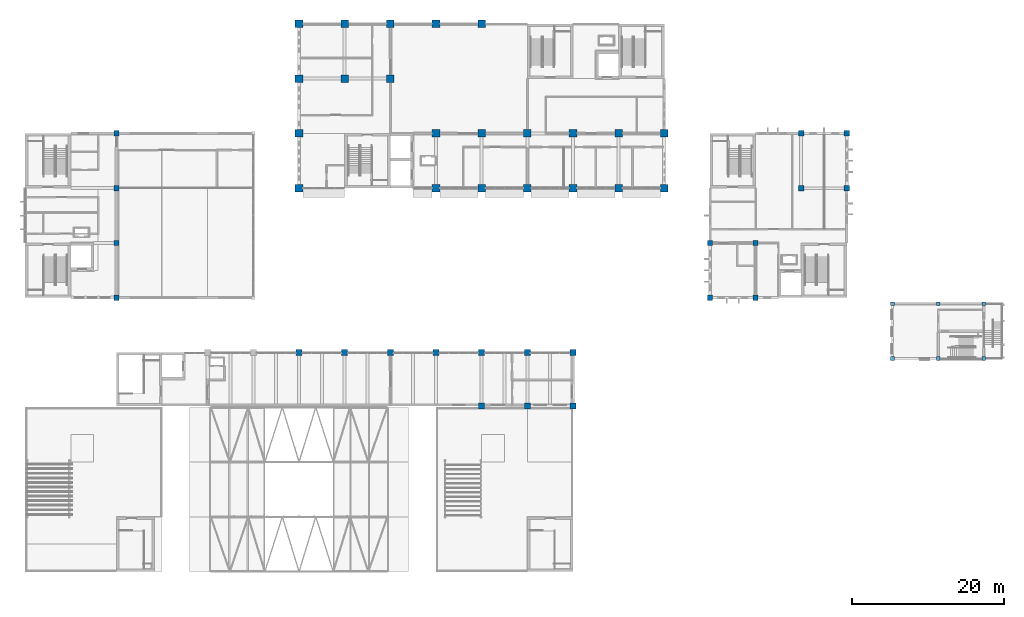
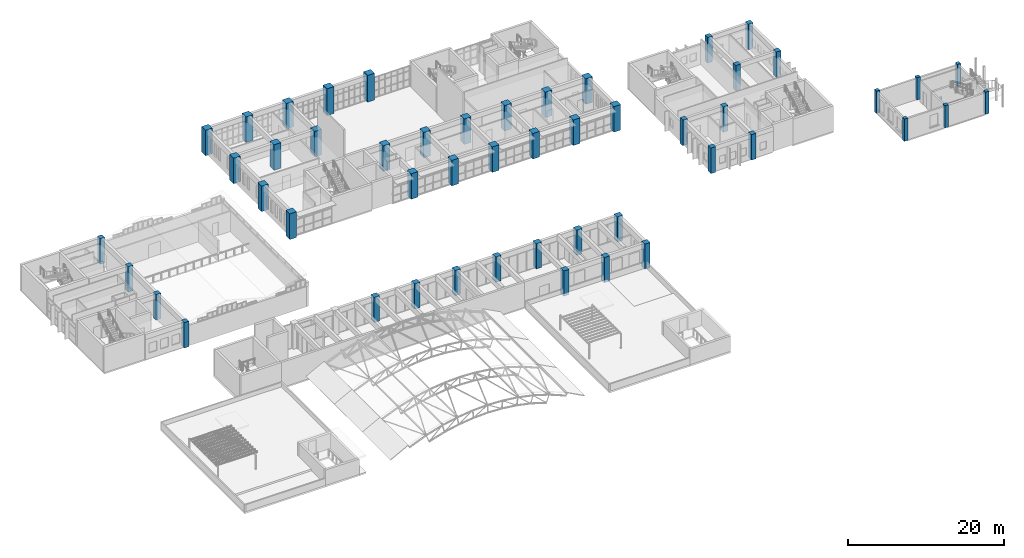
# One storey, part 4 of 92: 50 columns.
"""IFC4 building model written with IfcOpenShell, lengths in metres."""

import ifcopenshell
import ifcopenshell.guid

model = None  # the IFC model being written
_history = None  # IfcOwnerHistory: only IFC2X3 demands one
_inside = {}  # id of a spatial element -> (the spatial element, [elements in it])
_under = {}  # id of a project, library or spatial element -> (it, [spatial elements below it])
_declared = {}  # id of a project -> (the project, [libraries it declares])
_typed = {}  # id of a type object -> (the type object, [elements of that type])
_made_of = {}  # id of a material, layer set ... -> (it, [elements and type objects made of it])


def new_model(schema):
    """Start an empty IFC model of exactly this schema.

    Asked for "IFC4X3", IfcOpenShell would pick the latest addendum, in which some entities
    have other attributes; the version numbers below select the first issue.
    IFC2X3 requires an IfcOwnerHistory on every rooted entity: one is made here for all.
    """
    global model, _history
    if schema == "IFC4X3":
        model = ifcopenshell.file(schema_version=(4, 3, 0, 0))
    else:
        model = ifcopenshell.file(schema=schema)
    _inside.clear()
    _under.clear()
    _declared.clear()
    _typed.clear()
    _made_of.clear()
    _history = None
    if model.schema == "IFC2X3":
        org = make("IfcOrganization", Name="unknown")
        user = make(
            "IfcPersonAndOrganization",
            ThePerson=make("IfcPerson", FamilyName="unknown"),
            TheOrganization=org,
        )
        app = make(
            "IfcApplication",
            ApplicationDeveloper=org,
            Version="unknown",
            ApplicationFullName="unknown",
            ApplicationIdentifier="unknown",
        )
        _history = make(
            "IfcOwnerHistory",
            OwningUser=user,
            OwningApplication=app,
            ChangeAction="ADDED",
            CreationDate=0,
        )
    return model


def make(cls, **values):
    """One entity of the class cls with the attributes given. An attribute that is None is left unset."""
    return model.create_entity(
        cls, **{name: value for name, value in values.items() if value is not None}
    )


def rooted(cls, **values):
    """An entity with a GlobalId (a new one), such as an element, a storey or a relation."""
    return make(cls, GlobalId=ifcopenshell.guid.new(), OwnerHistory=_history, **values)


def si_unit(unit_type, name, prefix=None):
    """IfcSIUnit, for example si_unit("LENGTHUNIT", "METRE", prefix="MILLI")."""
    return make("IfcSIUnit", UnitType=unit_type, Prefix=prefix, Name=name)


def assignment(units):
    """IfcUnitAssignment: the units of a project."""
    return None if units is None else make("IfcUnitAssignment", Units=units)


def point(xyz):
    """IfcCartesianPoint."""
    return None if xyz is None else make("IfcCartesianPoint", Coordinates=xyz)


def direction(xyz):
    """IfcDirection."""
    return None if xyz is None else make("IfcDirection", DirectionRatios=xyz)


def frame(location, z_axis=None, x_axis=None):
    """IfcAxis2Placement3D, a coordinate frame: its origin and axes. An axis left out is left unset."""
    return make(
        "IfcAxis2Placement3D",
        Location=point(location),
        Axis=direction(z_axis),
        RefDirection=direction(x_axis),
    )


def frame_2d(location, x_axis=None):
    """IfcAxis2Placement2D, a coordinate frame in the plane: its origin and x axis."""
    return make(
        "IfcAxis2Placement2D", Location=point(location), RefDirection=direction(x_axis)
    )


def origin():
    """The frame at (0, 0, 0) with its axes left unset."""
    return frame((0.0, 0.0, 0.0))


def origin_2d():
    """The frame at (0, 0) in the plane with its x axis left unset."""
    return frame_2d((0.0, 0.0))


def place(relative_to, where):
    """IfcLocalPlacement: puts the frame where relative to a parent placement (None: the world)."""
    return make(
        "IfcLocalPlacement", PlacementRelTo=relative_to, RelativePlacement=where
    )


def context(
    kind, dimensions, precision=None, world=None, true_north=None, identifier=None
):
    """IfcGeometricRepresentationContext, for example the 3D "Model" context."""
    return make(
        "IfcGeometricRepresentationContext",
        ContextIdentifier=identifier,
        ContextType=kind,
        CoordinateSpaceDimension=dimensions,
        Precision=precision,
        WorldCoordinateSystem=world,
        TrueNorth=true_north,
    )


def subcontext(parent, identifier, kind, view, scale=None):
    """IfcGeometricRepresentationSubContext, for example "Body" below "Model"."""
    return make(
        "IfcGeometricRepresentationSubContext",
        ContextIdentifier=identifier,
        ContextType=kind,
        ParentContext=parent,
        TargetScale=scale,
        TargetView=view,
    )


def project(units=None, contexts=None):
    """IfcProject with its units and contexts."""
    return rooted(
        "IfcProject",
        Name="project",
        RepresentationContexts=contexts,
        UnitsInContext=assignment(units),
    )


def spatial(cls, under=None, at=None, **own):
    """A site, building, storey or space (cls), placed at a placement, below another one or the project."""
    s = rooted(cls, ObjectPlacement=at, **own)
    if under is not None:
        _under.setdefault(under.id(), (under, []))[1].append(s)
    return s


def profile(cls, at=None, kind="AREA", **sizes):
    """A parametric profile (cls). Its sizes go by their IFC names, for example OverallWidth=200.0."""
    return make(cls, ProfileType=kind, Position=at, **sizes)


def rectangle(**sizes):
    """IfcRectangleProfileDef."""
    return profile("IfcRectangleProfileDef", **sizes)


def extrude(swept, where, along, depth):
    """IfcExtrudedAreaSolid: the profile swept, set in the frame where, extruded along a direction by depth."""
    return make(
        "IfcExtrudedAreaSolid",
        SweptArea=swept,
        Position=where,
        ExtrudedDirection=direction(along),
        Depth=depth,
    )


def shape(context_of_items, identifier, shape_type, items):
    """IfcShapeRepresentation: the items that make up one representation, for example the "Body"."""
    return make(
        "IfcShapeRepresentation",
        ContextOfItems=context_of_items,
        RepresentationIdentifier=identifier,
        RepresentationType=shape_type,
        Items=items,
    )


def material(Name=None, Category=None):
    """IfcMaterial."""
    return make("IfcMaterial", Name=Name, Category=Category)


def material_profile(
    of_material, cross_section, Name=None, Category=None, Priority=None
):
    """IfcMaterialProfile: a cross section and its material."""
    return make(
        "IfcMaterialProfile",
        Name=Name,
        Material=of_material,
        Profile=cross_section,
        Priority=Priority,
        Category=Category,
    )


def profile_set(profiles, Name=None, composite=None):
    """IfcMaterialProfileSet."""
    return make(
        "IfcMaterialProfileSet",
        Name=Name,
        MaterialProfiles=profiles,
        CompositeProfile=composite,
    )


def made_of(thing, what):
    """Note that an element or type object is made of a material, layer set ...; save() writes the relation."""
    if what is not None:
        _made_of.setdefault(what.id(), (what, []))[1].append(thing)
    return thing


def type_object(cls, material=None, **own):
    """A type object (cls), such as IfcWallType, which elements share."""
    return made_of(rooted(cls, **own), material)


def element(
    cls,
    number,
    at=None,
    inside=None,
    cuts=None,
    type_object=None,
    material=None,
    context=None,
    identifier="Body",
    shape_type=None,
    held_by="IfcProductDefinitionShape",
    body=None,
    shapes=None,
    **own,
):
    """One element of the class cls, such as IfcWall. Its Tag is "e" and its number.

    at: its placement. inside: the storey or other place that contains it. cuts: it is an
    opening in that element (IfcRelVoidsElement). A single representation is given by context,
    identifier, shape_type and body (its items); several are given by shapes. held_by: the class
    of the entity that holds the representations. save() writes the other relations.
    """
    e = rooted(cls, Tag="e%d" % number, ObjectPlacement=at, **own)
    if body is not None:
        shapes = [shape(context, identifier, shape_type, body)]
    if shapes is not None:
        e.Representation = make(held_by, Representations=shapes)
    if inside is not None:
        _inside.setdefault(inside.id(), (inside, []))[1].append(e)
    if cuts is not None:
        rooted(
            "IfcRelVoidsElement", RelatingBuildingElement=cuts, RelatedOpeningElement=e
        )
    if type_object is not None:
        _typed.setdefault(type_object.id(), (type_object, []))[1].append(e)
    return made_of(e, material)


def aggregate(whole, parts):
    """IfcRelAggregates: a whole, such as a stair, and the parts it consists of."""
    return rooted("IfcRelAggregates", RelatingObject=whole, RelatedObjects=parts)


def save(model, path):
    """Write the relations noted so far, then the file.

    IfcRelAggregates (storeys below a building ...), IfcRelContainedInSpatialStructure (elements
    in a storey), IfcRelDefinesByType, IfcRelAssociatesMaterial and IfcRelDeclares: one each for
    every whole, place, type object, material and project.
    """
    for whole, parts in _under.values():
        aggregate(whole, parts)
    for where, things in _inside.values():
        rooted(
            "IfcRelContainedInSpatialStructure",
            RelatedElements=things,
            RelatingStructure=where,
        )
    for kind, things in _typed.values():
        rooted("IfcRelDefinesByType", RelatedObjects=things, RelatingType=kind)
    for what, things in _made_of.values():
        rooted("IfcRelAssociatesMaterial", RelatedObjects=things, RelatingMaterial=what)
    for by, libraries in _declared.values():
        rooted("IfcRelDeclares", RelatingContext=by, RelatedDefinitions=libraries)
    model.write(path)


model = new_model("IFC4")

# Units and contexts
model_context = context("Model", 3, precision=1e-05, world=origin(), true_north=direction((0.0, 1.0)))
body_context = subcontext(model_context, "Body", "Model", "MODEL_VIEW")
ifc_project = project(units=[si_unit("LENGTHUNIT", "METRE"), si_unit("AREAUNIT", "SQUARE_METRE"), si_unit("VOLUMEUNIT", "CUBIC_METRE"), si_unit("PLANEANGLEUNIT", "RADIAN"), si_unit("MASSUNIT", "GRAM", prefix="KILO")], contexts=[model_context])

# Site, building, storey
site_placement = place(None, origin())
site = spatial("IfcSite", under=ifc_project, at=site_placement, CompositionType="ELEMENT")
building_placement = place(site_placement, origin())
building = spatial("IfcBuilding", under=site, at=building_placement, Name="Laocheng Heights Fire and Rescue Headquarters", CompositionType="ELEMENT")
storey_placement = place(building_placement, frame((0.0, 0.0, 12.60009765625)))
storey = spatial("IfcBuildingStorey", under=building, at=storey_placement, Name="L03", CompositionType="ELEMENT", Elevation=12.60009765625)

# Columns
ifc_material_1 = material(Name="Concrete C45", Category="concrete")
ifc_material_profile_1 = material_profile(ifc_material_1, rectangle(XDim=1.0, YDim=1.0, at=origin_2d()), Name="RC COLUMN 1000x1000 C45 HQ")
ifc_profile_set_1 = profile_set([ifc_material_profile_1], Name="Concrete C45")
column_type_1 = type_object("IfcColumnType", Name="RC COLUMN 1000x1000 C45 HQ", PredefinedType="COLUMN", material=ifc_profile_set_1)
for number, where, z_axis, x_axis, name in (
    (1, (36.0, 50.39990234375, 0.0), (0.0, 0.0, 1.0), (1.0, 0.0, 0.0), "HQ column L03 36/50.4"),
    (2, (54.0, 50.39990234375, 0.0), (0.0, 0.0, 1.0), (1.0, 0.0, 0.0), "HQ column L03 54/50.4"),
    (3, (60.0, 50.39990234375, 0.0), (0.0, 0.0, 1.0), (1.0, 0.0, 0.0), "HQ column L03 60/50.4"),
    (4, (66.0, 50.39990234375, 0.0), (0.0, 0.0, 1.0), (1.0, 0.0, 0.0), "HQ column L03 66/50.4"),
    (5, (72.0, 50.39990234375, 0.0), (0.0, 0.0, 1.0), (1.0, 0.0, 0.0), "HQ column L03 72/50.4"),
    (6, (78.0, 50.39990234375, 0.0), (0.0, 0.0, 1.0), (1.0, 0.0, 0.0), "HQ column L03 78/50.4"),
    (7, (84.0, 50.39990234375, 0.0), (0.0, 0.0, 1.0), (1.0, 0.0, 0.0), "HQ column L03 84/50.4"),
    (8, (36.0, 57.60009765625, 0.0), (0.0, 0.0, 1.0), (1.0, 0.0, 0.0), "HQ column L03 36/57.6"),
    (9, (54.0, 57.60009765625, 0.0), (0.0, 0.0, 1.0), (1.0, 0.0, 0.0), "HQ column L03 54/57.6"),
    (10, (60.0, 57.60009765625, 0.0), (0.0, 0.0, 1.0), (1.0, 0.0, 0.0), "HQ column L03 60/57.6"),
    (11, (66.0, 57.60009765625, 0.0), (0.0, 0.0, 1.0), (1.0, 0.0, 0.0), "HQ column L03 66/57.6"),
    (12, (72.0, 57.60009765625, 0.0), (0.0, 0.0, 1.0), (1.0, 0.0, 0.0), "HQ column L03 72/57.6"),
    (13, (78.0, 57.60009765625, 0.0), (0.0, 0.0, 1.0), (1.0, 0.0, 0.0), "HQ column L03 78/57.6"),
    (14, (84.0, 57.60009765625, 0.0), (0.0, 0.0, 1.0), (1.0, 0.0, 0.0), "HQ column L03 84/57.6"),
    (15, (36.0, 64.800048828125, 0.0), (0.0, 0.0, 1.0), (1.0, 0.0, 0.0), "HQ column L03 36/64.8"),
    (16, (42.0, 64.800048828125, 0.0), (0.0, 0.0, 1.0), (1.0, 0.0, 0.0), "HQ column L03 42/64.8"),
    (17, (48.0, 64.800048828125, 0.0), (0.0, 0.0, 1.0), (1.0, 0.0, 0.0), "HQ column L03 48/64.8"),
    (18, (36.0, 72.0, 0.0), (0.0, 0.0, 1.0), (1.0, 0.0, 0.0), "HQ column L03 36/72"),
    (19, (42.0, 72.0, 0.0), (0.0, 0.0, 1.0), (1.0, 0.0, 0.0), "HQ column L03 42/72"),
    (20, (48.0, 72.0, 0.0), (0.0, 0.0, 1.0), (1.0, 0.0, 0.0), "HQ column L03 48/72"),
):
    element("IfcColumn", number, at=place(storey_placement, frame(where, z_axis=z_axis, x_axis=x_axis)), inside=storey, type_object=column_type_1, Name=name, PredefinedType="COLUMN", context=body_context, shape_type="SweptSolid", body=[
        extrude(rectangle(XDim=1.0, YDim=1.0, at=origin_2d()), origin(), (0.0, 0.0, 1.0), 4.0),
    ])
for number, where, z_axis, x_axis, name in (
    (21, (54.0, 72.0, 0.0), (0.0, 0.0, 1.0), (1.0, 0.0, 0.0), "HQ column L03 54/72"),
    (22, (60.0, 72.0, 0.0), (0.0, 0.0, 1.0), (1.0, 0.0, 0.0), "HQ column L03 60/72"),
):
    element("IfcColumn", number, at=place(storey_placement, frame(where, z_axis=z_axis, x_axis=x_axis)), inside=storey, type_object=column_type_1, Name=name, PredefinedType="COLUMN", context=body_context, shape_type="SweptSolid", body=[
        extrude(rectangle(XDim=1.0, YDim=1.0, at=origin_2d()), origin(), (0.0, 0.0, 1.0), 4.199951171875),
    ])
ifc_material_2 = material(Name="Concrete C40", Category="concrete")
ifc_material_profile_2 = material_profile(ifc_material_2, rectangle(XDim=0.5, YDim=0.5, at=origin_2d()), Name="RC COLUMN 500x500 C40 DRILL TOWER")
ifc_profile_set_2 = profile_set([ifc_material_profile_2], Name="Concrete C40")
column_type_2 = type_object("IfcColumnType", Name="RC COLUMN 500x500 C40 DRILL TOWER", PredefinedType="COLUMN", material=ifc_profile_set_2)
for number, where, z_axis, x_axis, name in (
    (23, (114.0, 28.0, 1.39990234375), (0.0, 0.0, 1.0), (1.0, 0.0, 0.0), "Drill tower column F5 114/28"),
    (24, (120.0, 28.0, 1.39990234375), (0.0, 0.0, 1.0), (1.0, 0.0, 0.0), "Drill tower column F5 120/28"),
    (25, (126.0, 28.0, 1.39990234375), (0.0, 0.0, 1.0), (1.0, 0.0, 0.0), "Drill tower column F5 126/28"),
    (26, (114.0, 35.199951171875, 1.39990234375), (0.0, 0.0, 1.0), (1.0, 0.0, 0.0), "Drill tower column F5 114/35.2"),
    (27, (120.0, 35.199951171875, 1.39990234375), (0.0, 0.0, 1.0), (1.0, 0.0, 0.0), "Drill tower column F5 120/35.2"),
    (28, (126.0, 35.199951171875, 1.39990234375), (0.0, 0.0, 1.0), (1.0, 0.0, 0.0), "Drill tower column F5 126/35.2"),
):
    element("IfcColumn", number, at=place(storey_placement, frame(where, z_axis=z_axis, x_axis=x_axis)), inside=storey, type_object=column_type_2, Name=name, PredefinedType="COLUMN", context=body_context, shape_type="SweptSolid", body=[
        extrude(rectangle(XDim=0.5, YDim=0.5, at=origin_2d()), origin(), (0.0, 0.0, 1.0), 3.5),
    ])
ifc_material_3 = material(Name="Concrete C40", Category="concrete")
ifc_material_profile_3 = material_profile(ifc_material_3, rectangle(XDim=0.699951171875, YDim=0.699951171875, at=origin_2d()), Name="RC COLUMN 700x700 C40 CREW")
ifc_profile_set_3 = profile_set([ifc_material_profile_3], Name="Concrete C40")
column_type_3 = type_object("IfcColumnType", Name="RC COLUMN 700x700 C40 CREW", PredefinedType="COLUMN", material=ifc_profile_set_3)
for number, where, z_axis, x_axis, name in (
    (29, (90.0, 36.0, 0.0), (0.0, 0.0, 1.0), (1.0, 0.0, 0.0), "Crew column L03 90/36"),
    (30, (96.0, 36.0, 0.0), (0.0, 0.0, 1.0), (1.0, 0.0, 0.0), "Crew column L03 96/36"),
    (31, (90.0, 43.199951171875, 0.0), (0.0, 0.0, 1.0), (1.0, 0.0, 0.0), "Crew column L03 90/43.2"),
    (32, (96.0, 43.199951171875, 0.0), (0.0, 0.0, 1.0), (1.0, 0.0, 0.0), "Crew column L03 96/43.2"),
    (33, (102.0, 50.39990234375, 0.0), (0.0, 0.0, 1.0), (1.0, 0.0, 0.0), "Crew column L03 102/50.4"),
    (34, (108.0, 50.39990234375, 0.0), (0.0, 0.0, 1.0), (1.0, 0.0, 0.0), "Crew column L03 108/50.4"),
    (35, (102.0, 57.60009765625, 0.0), (0.0, 0.0, 1.0), (1.0, 0.0, 0.0), "Crew column L03 102/57.6"),
    (36, (108.0, 57.60009765625, 0.0), (0.0, 0.0, 1.0), (1.0, 0.0, 0.0), "Crew column L03 108/57.6"),
):
    element("IfcColumn", number, at=place(storey_placement, frame(where, z_axis=z_axis, x_axis=x_axis)), inside=storey, type_object=column_type_3, Name=name, PredefinedType="COLUMN", context=body_context, shape_type="SweptSolid", body=[
        extrude(rectangle(XDim=0.699951171875, YDim=0.699951171875, at=origin_2d()), origin(), (0.0, 0.0, 1.0), 4.0),
    ])
ifc_material_4 = material(Name="Concrete C40", Category="concrete")
ifc_material_profile_4 = material_profile(ifc_material_4, rectangle(XDim=0.699951171875, YDim=0.699951171875, at=origin_2d()), Name="RC COLUMN 700x700 C40 FOYER")
ifc_profile_set_4 = profile_set([ifc_material_profile_4], Name="Concrete C40")
column_type_4 = type_object("IfcColumnType", Name="RC COLUMN 700x700 C40 FOYER", PredefinedType="COLUMN", material=ifc_profile_set_4)
for number, where, z_axis, x_axis, name in (
    (37, (12.0, 36.0, 0.0), (0.0, 0.0, 1.0), (1.0, 0.0, 0.0), "Foyer column L03 12/36"),
    (38, (12.0, 43.199951171875, 0.0), (0.0, 0.0, 1.0), (1.0, 0.0, 0.0), "Foyer column L03 12/43.2"),
    (39, (12.0, 50.39990234375, 0.0), (0.0, 0.0, 1.0), (1.0, 0.0, 0.0), "Foyer column L03 12/50.4"),
    (40, (12.0, 57.60009765625, 0.0), (0.0, 0.0, 1.0), (1.0, 0.0, 0.0), "Foyer column L03 12/57.6"),
):
    element("IfcColumn", number, at=place(storey_placement, frame(where, z_axis=z_axis, x_axis=x_axis)), inside=storey, type_object=column_type_4, Name=name, PredefinedType="COLUMN", context=body_context, shape_type="SweptSolid", body=[
        extrude(rectangle(XDim=0.699951171875, YDim=0.699951171875, at=origin_2d()), origin(), (0.0, 0.0, 1.0), 4.0),
    ])
ifc_material_5 = material(Name="Concrete C50", Category="concrete")
ifc_material_profile_5 = material_profile(ifc_material_5, rectangle(XDim=0.800048828125, YDim=0.800048828125, at=origin_2d()), Name="RC COLUMN 800x800 GALLERY")
ifc_profile_set_5 = profile_set([ifc_material_profile_5], Name="Concrete C50")
column_type_5 = type_object("IfcColumnType", Name="RC COLUMN 800x800 GALLERY", PredefinedType="COLUMN", material=ifc_profile_set_5)
for number, where, z_axis, x_axis, name in (
    (41, (60.0, 21.75, 0.0), (0.0, 0.0, 1.0), (1.0, 0.0, 0.0), "Gallery column"),
    (42, (66.0, 21.75, 0.0), (0.0, 0.0, 1.0), (1.0, 0.0, 0.0), "Gallery column"),
    (43, (72.0, 21.75, 0.0), (0.0, 0.0, 1.0), (1.0, 0.0, 0.0), "Gallery column"),
    (44, (36.0, 28.800048828125, 0.0), (0.0, 0.0, 1.0), (1.0, 0.0, 0.0), "Gallery column"),
    (45, (42.0, 28.800048828125, 0.0), (0.0, 0.0, 1.0), (1.0, 0.0, 0.0), "Gallery column"),
    (46, (48.0, 28.800048828125, 0.0), (0.0, 0.0, 1.0), (1.0, 0.0, 0.0), "Gallery column"),
    (47, (54.0, 28.800048828125, 0.0), (0.0, 0.0, 1.0), (1.0, 0.0, 0.0), "Gallery column"),
    (48, (60.0, 28.800048828125, 0.0), (0.0, 0.0, 1.0), (1.0, 0.0, 0.0), "Gallery column"),
    (49, (66.0, 28.800048828125, 0.0), (0.0, 0.0, 1.0), (1.0, 0.0, 0.0), "Gallery column"),
    (50, (72.0, 28.800048828125, 0.0), (0.0, 0.0, 1.0), (1.0, 0.0, 0.0), "Gallery column"),
):
    element("IfcColumn", number, at=place(storey_placement, frame(where, z_axis=z_axis, x_axis=x_axis)), inside=storey, type_object=column_type_5, Name=name, PredefinedType="COLUMN", context=body_context, shape_type="SweptSolid", body=[
        extrude(rectangle(XDim=0.800048828125, YDim=0.800048828125, at=origin_2d()), origin(), (0.0, 0.0, 1.0), 3.949951171875),
    ])

save(model, "model.ifc")
